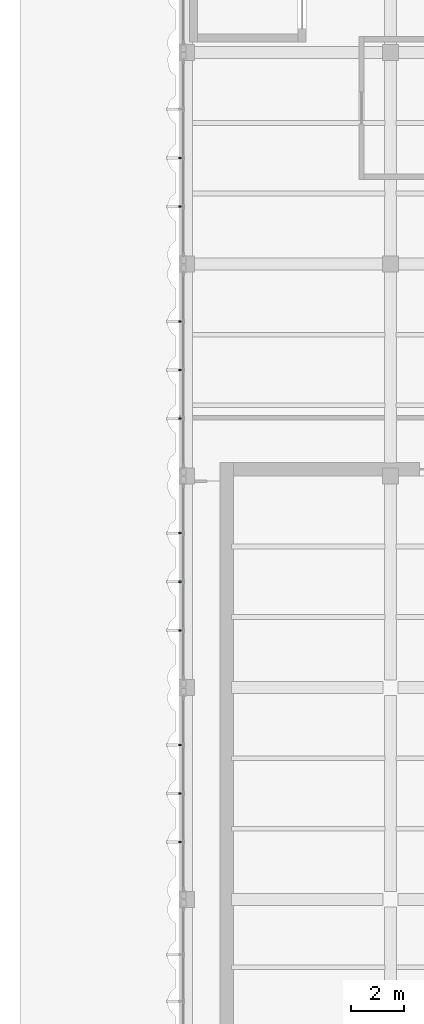
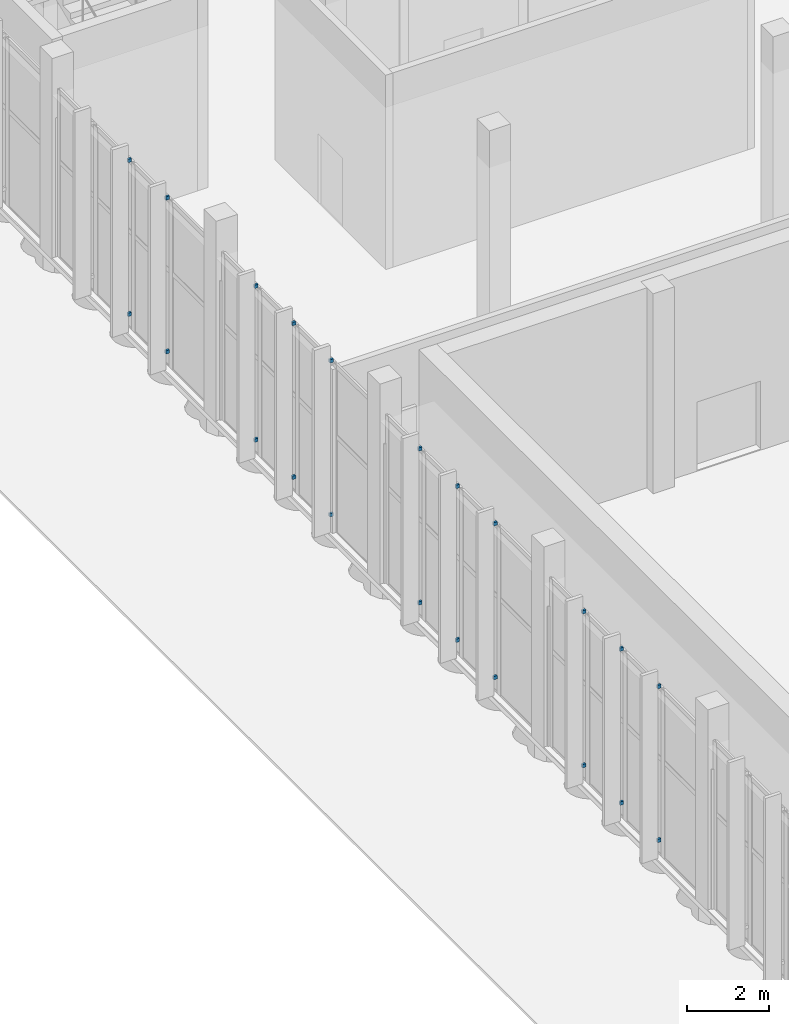
# One storey, part 112 of 155: 22 discrete accessories.
"""IFC4 building model written with IfcOpenShell, lengths in metres."""

from ifc_helpers import new_model, si_unit, direction, frame, origin, origin_2d, place, context, subcontext, project, spatial, rectangle, extrude, material, type_object, element, save


model = new_model("IFC4")

# Units and contexts
model_context = context("Model", 3, precision=1e-05, world=origin(), true_north=direction((0.0, 1.0)))
body_context = subcontext(model_context, "Body", "Model", "MODEL_VIEW")
ifc_project = project(units=[si_unit("LENGTHUNIT", "METRE"), si_unit("AREAUNIT", "SQUARE_METRE"), si_unit("VOLUMEUNIT", "CUBIC_METRE"), si_unit("PLANEANGLEUNIT", "RADIAN"), si_unit("MASSUNIT", "GRAM", prefix="KILO")], contexts=[model_context])

# Site, building, storey
site_placement = place(None, origin())
site = spatial("IfcSite", under=ifc_project, at=site_placement, CompositionType="ELEMENT")
building_placement = place(site_placement, origin())
building = spatial("IfcBuilding", under=site, at=building_placement, Name="Lunette Opera House", CompositionType="ELEMENT")
storey_placement = place(building_placement, origin())
storey = spatial("IfcBuildingStorey", under=building, at=storey_placement, Name="L00", CompositionType="ELEMENT", Elevation=0.0)

# Discrete accessories
ifc_material = material(Name="Galvanised steel", Category="steel")
discrete_accessory_type = type_object("IfcDiscreteAccessoryType", Name="FIN BRACKET STEEL", PredefinedType="BRACKET", material=ifc_material)
for number, where, z_axis, x_axis, name in (
    (1, (8.0419921875, 100.012939453125, 0.56494140625), (0.0, 0.0, 1.0), (-1.0, 0.0, 0.0), "Fin bracket RW-X2002 2 1"),
    (2, (8.0419921875, 100.012939453125, 5.14990234375), (0.0, 0.0, 1.0), (-1.0, 0.0, 0.0), "Fin bracket RW-X2002 2 2"),
    (3, (8.0419921875, 98.1708984375, 0.56494140625), (0.0, 0.0, 1.0), (-1.0, 0.0, 0.0), "Fin bracket RW-X2002 3 1"),
    (4, (8.0419921875, 98.1708984375, 5.14990234375), (0.0, 0.0, 1.0), (-1.0, 0.0, 0.0), "Fin bracket RW-X2002 3 2"),
    (5, (8.0419921875, 93.8349609375, 0.56494140625), (0.0, 0.0, 1.0), (-1.0, 0.0, 0.0), "Fin bracket RW-X2003 1 1"),
    (6, (8.0419921875, 93.8349609375, 5.14990234375), (0.0, 0.0, 1.0), (-1.0, 0.0, 0.0), "Fin bracket RW-X2003 1 2"),
    (7, (8.0419921875, 92.0, 0.56494140625), (0.0, 0.0, 1.0), (-1.0, 0.0, 0.0), "Fin bracket RW-X2003 2 1"),
    (8, (8.0419921875, 92.0, 5.14990234375), (0.0, 0.0, 1.0), (-1.0, 0.0, 0.0), "Fin bracket RW-X2003 2 2"),
    (9, (8.0419921875, 90.1650390625, 0.56494140625), (0.0, 0.0, 1.0), (-1.0, 0.0, 0.0), "Fin bracket RW-X2003 3 1"),
    (10, (8.0419921875, 90.1650390625, 5.14990234375), (0.0, 0.0, 1.0), (-1.0, 0.0, 0.0), "Fin bracket RW-X2003 3 2"),
    (11, (8.0419921875, 85.8349609375, 0.56494140625), (0.0, 0.0, 1.0), (-1.0, 0.0, 0.0), "Fin bracket RW-X2004 1 1"),
    (12, (8.0419921875, 85.8349609375, 5.14990234375), (0.0, 0.0, 1.0), (-1.0, 0.0, 0.0), "Fin bracket RW-X2004 1 2"),
    (13, (8.0419921875, 84.0, 0.56494140625), (0.0, 0.0, 1.0), (-1.0, 0.0, 0.0), "Fin bracket RW-X2004 2 1"),
    (14, (8.0419921875, 84.0, 5.14990234375), (0.0, 0.0, 1.0), (-1.0, 0.0, 0.0), "Fin bracket RW-X2004 2 2"),
    (15, (8.0419921875, 82.1650390625, 0.56494140625), (0.0, 0.0, 1.0), (-1.0, 0.0, 0.0), "Fin bracket RW-X2004 3 1"),
    (16, (8.0419921875, 82.1650390625, 5.14990234375), (0.0, 0.0, 1.0), (-1.0, 0.0, 0.0), "Fin bracket RW-X2004 3 2"),
    (17, (8.0419921875, 77.8349609375, 0.56494140625), (0.0, 0.0, 1.0), (-1.0, 0.0, 0.0), "Fin bracket RW-X2005 1 1"),
    (18, (8.0419921875, 77.8349609375, 5.14990234375), (0.0, 0.0, 1.0), (-1.0, 0.0, 0.0), "Fin bracket RW-X2005 1 2"),
    (19, (8.0419921875, 76.0, 0.56494140625), (0.0, 0.0, 1.0), (-1.0, 0.0, 0.0), "Fin bracket RW-X2005 2 1"),
    (20, (8.0419921875, 76.0, 5.14990234375), (0.0, 0.0, 1.0), (-1.0, 0.0, 0.0), "Fin bracket RW-X2005 2 2"),
    (21, (8.0419921875, 74.1650390625, 0.56494140625), (0.0, 0.0, 1.0), (-1.0, 0.0, 0.0), "Fin bracket RW-X2005 3 1"),
    (22, (8.0419921875, 74.1650390625, 5.14990234375), (0.0, 0.0, 1.0), (-1.0, 0.0, 0.0), "Fin bracket RW-X2005 3 2"),
):
    element("IfcDiscreteAccessory", number, at=place(storey_placement, frame(where, z_axis=z_axis, x_axis=x_axis)), inside=storey, type_object=discrete_accessory_type, Name=name, PredefinedType="BRACKET", context=body_context, shape_type="SweptSolid", body=[
        extrude(rectangle(XDim=0.10009765625, YDim=0.06005859375, at=origin_2d()), origin(), (0.0, 0.0, 1.0), 0.10009765625),
    ])

save(model, "model.ifc")
